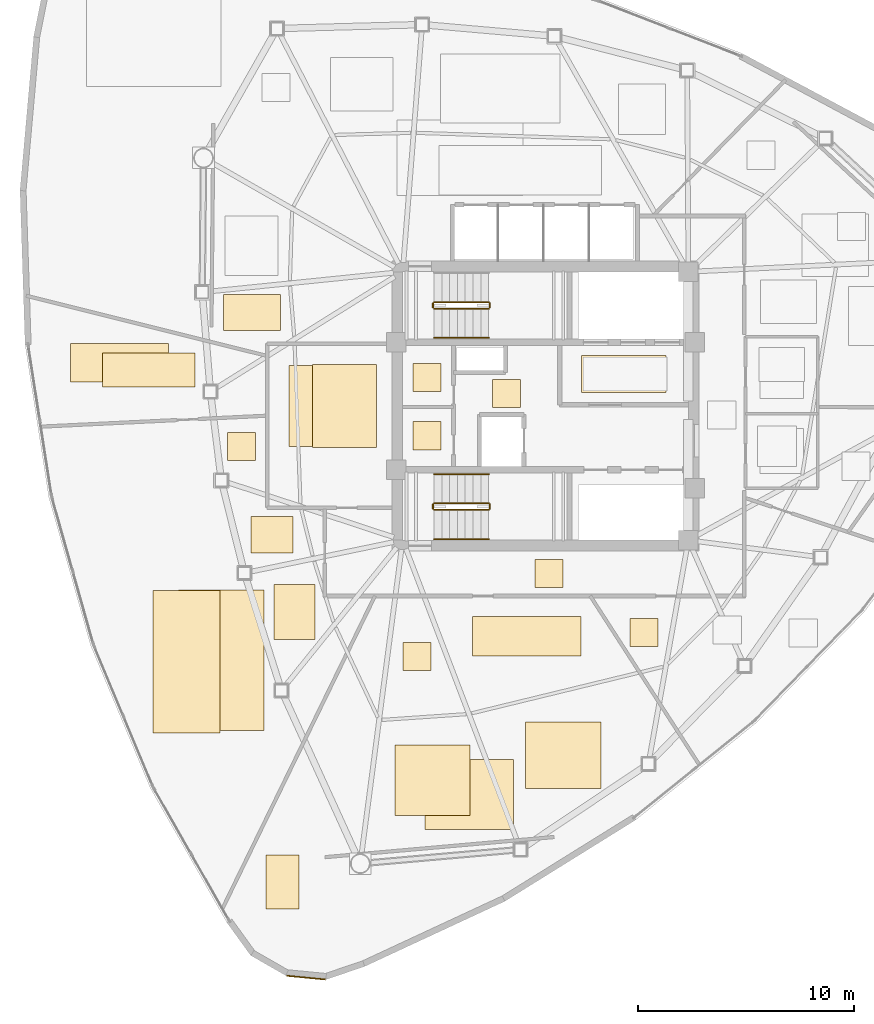
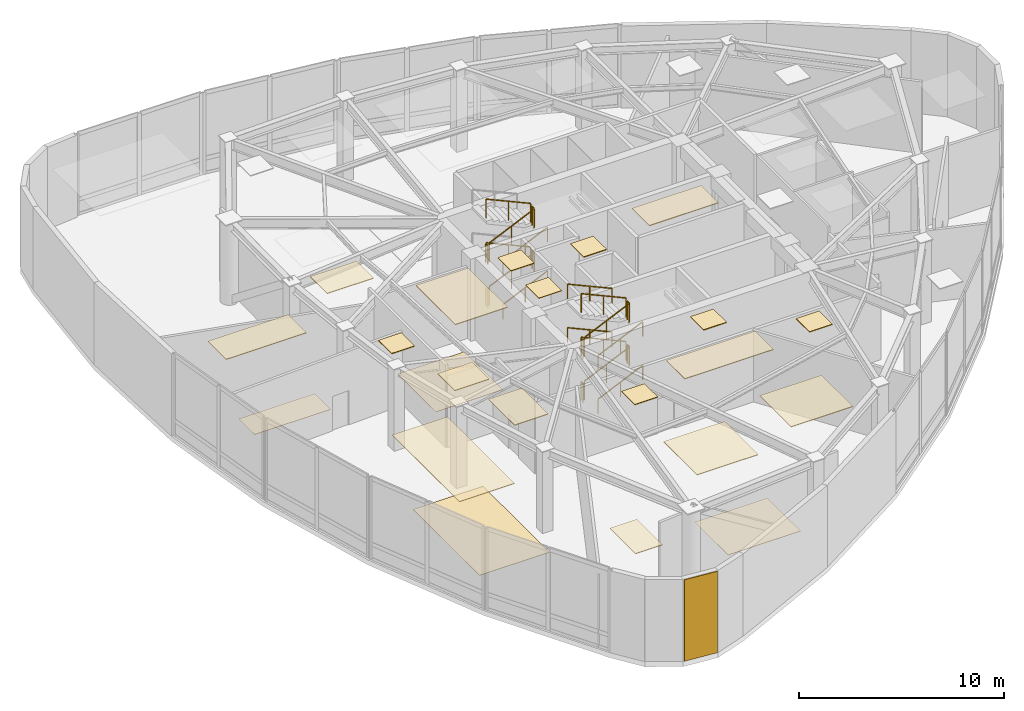
# One storey, part 11 of 12: 23 coverings, 22 railings.
"""IFC4 building model written with IfcOpenShell, lengths in metres."""

from ifc_helpers import new_model, si_unit, direction, frame, origin, origin_2d, place, context, subcontext, project, spatial, polyline, rectangle, outline, extrude, material, layer, layer_set, type_object, element, save


model = new_model("IFC4")

# Units and contexts
model_context = context("Model", 3, precision=1e-05, world=origin(), true_north=direction((0.0, 1.0)))
body_context = subcontext(model_context, "Body", "Model", "MODEL_VIEW")
ifc_project = project(units=[si_unit("LENGTHUNIT", "METRE"), si_unit("AREAUNIT", "SQUARE_METRE"), si_unit("VOLUMEUNIT", "CUBIC_METRE"), si_unit("PLANEANGLEUNIT", "RADIAN"), si_unit("MASSUNIT", "GRAM", prefix="KILO")], contexts=[model_context])

# Site, building, storey
site_placement = place(None, origin())
site = spatial("IfcSite", under=ifc_project, at=site_placement, CompositionType="ELEMENT")
building_placement = place(site_placement, origin())
building = spatial("IfcBuilding", under=site, at=building_placement, Name="Tavelor Broadcast Tower", CompositionType="ELEMENT")
storey_placement = place(building_placement, frame((0.0, 0.0, 216.949951171875)))
storey = spatial("IfcBuildingStorey", under=building, at=storey_placement, Name="L51", CompositionType="ELEMENT", Elevation=216.949951171875)

# Coverings
ifc_material_1 = material(Name="Copper-Bronze Anodized Aluminium", Category="aluminium")
ifc_layer_1 = layer(ifc_material_1, 0.044921875)
ifc_layer_set_1 = layer_set([ifc_layer_1], Name="Copper-Bronze Anodized Aluminium")
covering_type_1 = type_object("IfcCoveringType", Name="Anodised Bronze Linear Slatted Concourse Ceiling 45 mm", PredefinedType="CEILING", material=ifc_layer_set_1)
covering_1_placement = place(storey_placement, frame((0.0, 0.0, 4.85498046875)))
element("IfcCovering", 1, at=covering_1_placement, inside=storey, type_object=covering_type_1, Name="L51 Suspended Acoustic Ceiling 2029", PredefinedType="CEILING", context=body_context, shape_type="SweptSolid", body=[
    extrude(outline(polyline([(51.659912109375, 45.6318359375), (55.55712890625, 45.6318359375), (55.55712890625, 47.328125), (51.659912109375, 47.328125), (51.659912109375, 45.6318359375)])), origin(), (0.0, 0.0, 1.0), 0.045166015625),
])
covering_2_placement = place(storey_placement, frame((0.0, 0.0, 4.85498046875)))
element("IfcCovering", 2, at=covering_2_placement, inside=storey, type_object=covering_type_1, Name="L51 Suspended Acoustic Ceiling 2030", PredefinedType="CEILING", context=body_context, shape_type="SweptSolid", body=[
    extrude(outline(polyline([(47.5400390625, 44.919921875), (48.840087890625, 44.919921875), (48.840087890625, 46.219970703125), (47.5400390625, 46.219970703125), (47.5400390625, 44.919921875)])), origin(), (0.0, 0.0, 1.0), 0.045166015625),
])
covering_3_placement = place(storey_placement, frame((0.0, 0.0, 4.85498046875)))
element("IfcCovering", 3, at=covering_3_placement, inside=storey, type_object=covering_type_1, Name="L51 Suspended Acoustic Ceiling 2034", PredefinedType="CEILING", context=body_context, shape_type="SweptSolid", body=[
    extrude(outline(polyline([(49.510498046875, 36.610107421875), (50.810302734375, 36.610107421875), (50.810302734375, 37.909912109375), (49.510498046875, 37.909912109375), (49.510498046875, 36.610107421875)])), origin(), (0.0, 0.0, 1.0), 0.045166015625),
])
ifc_layer_2 = layer(ifc_material_1, 0.050048828125)
ifc_layer_set_2 = layer_set([ifc_layer_2], Name="Copper-Bronze Anodized Aluminium")
covering_type_2 = type_object("IfcCoveringType", Name="Champagne-Bronze Corner Pier Metal Cladding 50 mm", PredefinedType="CLADDING", material=ifc_layer_set_2)
covering_4_placement = place(storey_placement, frame((38.932861328125, 18.587890625, 0.02001953125), z_axis=(0.0, 0.0, 1.0), x_axis=(0.995312178161, -0.096714362966, 0.0)))
element("IfcCovering", 4, at=covering_4_placement, inside=storey, type_object=covering_type_2, Name="L51 Champagne-Bronze Corner Cladding 13", PredefinedType="CLADDING", context=body_context, shape_type="SweptSolid", body=[
    extrude(rectangle(XDim=1.77490234375, YDim=0.050048828125, at=origin_2d()), origin(), (0.0, 0.0, 1.0), 4.860107421875),
])

# Railings
ifc_material_2 = material(Name="Steel S355", Category="steel")
railing_type_1 = type_object("IfcRailingType", Name="Continuous Brushed Stainless Handrail 900 mm", PredefinedType="HANDRAIL", material=ifc_material_2)
railing_1_placement = place(storey_placement, frame((44.85009765625, 48.14990234375, 0.16259765625)))
element("IfcRailing", 5, at=railing_1_placement, inside=storey, type_object=railing_type_1, Name="L51 ST1 stair handrail 1", PredefinedType="HANDRAIL", context=body_context, shape_type="SweptSolid", body=[
    extrude(rectangle(XDim=0.048095703125, YDim=0.048095703125, at=origin_2d()), frame((0.0, 0.0, 0.8759765625), z_axis=(0.911454990345, 0.0, 0.411399806241), x_axis=(0.0, 1.0, 0.0)), (0.0, 0.0, 1.0), 2.764892578125),
    extrude(rectangle(XDim=0.0419921875, YDim=0.0419921875, at=origin_2d()), origin(), (0.0, 0.0, 1.0), 0.851806640625),
    extrude(rectangle(XDim=0.0419921875, YDim=0.0419921875, at=origin_2d()), frame((1.260009765625, 0.0, 0.56884765625)), (0.0, 0.0, 1.0), 0.851806640625),
    extrude(rectangle(XDim=0.0419921875, YDim=0.0419921875, at=origin_2d()), frame((2.52001953125, 0.0, 1.137451171875)), (0.0, 0.0, 1.0), 0.851806640625),
])
railing_2_placement = place(storey_placement, frame((44.85009765625, 48.14990234375, 2.762451171875)))
element("IfcRailing", 6, at=railing_2_placement, inside=storey, type_object=railing_type_1, Name="L51 ST1 stair handrail 3", PredefinedType="HANDRAIL", context=body_context, shape_type="SweptSolid", body=[
    extrude(rectangle(XDim=0.048095703125, YDim=0.048095703125, at=origin_2d()), frame((0.0, 0.0, 0.8759765625), z_axis=(0.911421877719, 0.0, 0.411473159288), x_axis=(0.0, 1.0, 0.0)), (0.0, 0.0, 1.0), 2.764892578125),
    extrude(rectangle(XDim=0.0419921875, YDim=0.0419921875, at=origin_2d()), origin(), (0.0, 0.0, 1.0), 0.851806640625),
    extrude(rectangle(XDim=0.0419921875, YDim=0.0419921875, at=origin_2d()), frame((1.260009765625, 0.0, 0.56884765625)), (0.0, 0.0, 1.0), 0.851806640625),
    extrude(rectangle(XDim=0.0419921875, YDim=0.0419921875, at=origin_2d()), frame((2.52001953125, 0.0, 1.1376953125)), (0.0, 0.0, 1.0), 0.851806640625),
])
railing_3_placement = place(storey_placement, frame((44.85009765625, 38.85009765625, 0.16259765625)))
element("IfcRailing", 7, at=railing_3_placement, inside=storey, type_object=railing_type_1, Name="L51 ST2 stair handrail 1", PredefinedType="HANDRAIL", context=body_context, shape_type="SweptSolid", body=[
    extrude(rectangle(XDim=0.048095703125, YDim=0.048095703125, at=origin_2d()), frame((0.0, 0.0, 0.8759765625), z_axis=(0.911454990345, 0.0, 0.411399806241), x_axis=(0.0, 1.0, 0.0)), (0.0, 0.0, 1.0), 2.764892578125),
    extrude(rectangle(XDim=0.0419921875, YDim=0.0419921875, at=origin_2d()), origin(), (0.0, 0.0, 1.0), 0.851806640625),
    extrude(rectangle(XDim=0.0419921875, YDim=0.0419921875, at=origin_2d()), frame((1.260009765625, 0.0, 0.56884765625)), (0.0, 0.0, 1.0), 0.851806640625),
    extrude(rectangle(XDim=0.0419921875, YDim=0.0419921875, at=origin_2d()), frame((2.52001953125, 0.0, 1.137451171875)), (0.0, 0.0, 1.0), 0.851806640625),
])
railing_4_placement = place(storey_placement, frame((47.3701171875, 41.85009765625, 1.462646484375)))
element("IfcRailing", 8, at=railing_4_placement, inside=storey, type_object=railing_type_1, Name="L51 ST2 stair handrail 2", PredefinedType="HANDRAIL", context=body_context, shape_type="SweptSolid", body=[
    extrude(rectangle(XDim=0.048095703125, YDim=0.048095703125, at=origin_2d()), frame((0.0, 0.0, 0.8759765625), z_axis=(-0.911454990345, 0.0, 0.411399806241), x_axis=(0.0, -1.0, 0.0)), (0.0, 0.0, 1.0), 2.764892578125),
    extrude(rectangle(XDim=0.0419921875, YDim=0.0419921875, at=origin_2d()), origin(), (0.0, 0.0, 1.0), 0.851806640625),
    extrude(rectangle(XDim=0.0419921875, YDim=0.0419921875, at=origin_2d()), frame((-1.260009765625, 0.0, 0.56884765625)), (0.0, 0.0, 1.0), 0.851806640625),
    extrude(rectangle(XDim=0.0419921875, YDim=0.0419921875, at=origin_2d()), frame((-2.52001953125, 0.0, 1.137451171875)), (0.0, 0.0, 1.0), 0.851806640625),
])
railing_5_placement = place(storey_placement, frame((44.85009765625, 38.85009765625, 2.762451171875)))
element("IfcRailing", 9, at=railing_5_placement, inside=storey, type_object=railing_type_1, Name="L51 ST2 stair handrail 3", PredefinedType="HANDRAIL", context=body_context, shape_type="SweptSolid", body=[
    extrude(rectangle(XDim=0.048095703125, YDim=0.048095703125, at=origin_2d()), frame((0.0, 0.0, 0.8759765625), z_axis=(0.911421877719, 0.0, 0.411473159288), x_axis=(0.0, 1.0, 0.0)), (0.0, 0.0, 1.0), 2.764892578125),
    extrude(rectangle(XDim=0.0419921875, YDim=0.0419921875, at=origin_2d()), origin(), (0.0, 0.0, 1.0), 0.851806640625),
    extrude(rectangle(XDim=0.0419921875, YDim=0.0419921875, at=origin_2d()), frame((1.260009765625, 0.0, 0.56884765625)), (0.0, 0.0, 1.0), 0.851806640625),
    extrude(rectangle(XDim=0.0419921875, YDim=0.0419921875, at=origin_2d()), frame((2.52001953125, 0.0, 1.1376953125)), (0.0, 0.0, 1.0), 0.851806640625),
])
railing_6_placement = place(storey_placement, frame((47.3701171875, 41.85009765625, 4.0625)))
element("IfcRailing", 10, at=railing_6_placement, inside=storey, type_object=railing_type_1, Name="L51 ST2 stair handrail 4", PredefinedType="HANDRAIL", context=body_context, shape_type="SweptSolid", body=[
    extrude(rectangle(XDim=0.048095703125, YDim=0.048095703125, at=origin_2d()), frame((0.0, 0.0, 0.8759765625), z_axis=(-0.911454990345, 0.0, 0.411399806241), x_axis=(0.0, -1.0, 0.0)), (0.0, 0.0, 1.0), 2.764892578125),
    extrude(rectangle(XDim=0.0419921875, YDim=0.0419921875, at=origin_2d()), origin(), (0.0, 0.0, 1.0), 0.851806640625),
    extrude(rectangle(XDim=0.0419921875, YDim=0.0419921875, at=origin_2d()), frame((-1.260009765625, 0.0, 0.56884765625)), (0.0, 0.0, 1.0), 0.851806640625),
    extrude(rectangle(XDim=0.0419921875, YDim=0.0419921875, at=origin_2d()), frame((-2.52001953125, 0.0, 1.137451171875)), (0.0, 0.0, 1.0), 0.851806640625),
])

# Coverings
ifc_material_3 = material(Name="Acoustic Nylon Carpet Tile")
ifc_layer_3 = layer(ifc_material_3, 0.02001953125)
ifc_layer_set_3 = layer_set([ifc_layer_3], Name="Acoustic Nylon Carpet Tile")
covering_type_3 = type_object("IfcCoveringType", Name="Heavy-Duty Acoustic Broadcast Carpet Tile 20 mm", PredefinedType="FLOORING", material=ifc_layer_set_3)
covering_5_placement = place(storey_placement, origin())
element("IfcCovering", 11, at=covering_5_placement, inside=storey, type_object=covering_type_3, Name="L51 Broadcast Floor Finish 0743", PredefinedType="FLOORING", context=body_context, shape_type="SweptSolid", body=[
    extrude(outline(polyline([(38.15771484375, 43.12890625), (41.942138671875, 43.12890625), (41.942138671875, 46.87060546875), (38.15771484375, 46.87060546875), (38.15771484375, 43.12890625)])), origin(), (0.0, 0.0, 1.0), 0.02001953125),
])
covering_6_placement = place(storey_placement, origin())
element("IfcCovering", 12, at=covering_6_placement, inside=storey, type_object=covering_type_3, Name="L51 Broadcast Floor Finish 0748", PredefinedType="FLOORING", context=body_context, shape_type="SweptSolid", body=[
    extrude(outline(polyline([(44.432861328125, 25.425048828125), (48.5234375, 25.425048828125), (48.5234375, 28.674560546875), (44.432861328125, 28.674560546875), (44.432861328125, 25.425048828125)])), origin(), (0.0, 0.0, 1.0), 0.02001953125),
])
covering_7_placement = place(storey_placement, origin())
element("IfcCovering", 13, at=covering_7_placement, inside=storey, type_object=covering_type_3, Name="L51 Broadcast Floor Finish 0749", PredefinedType="FLOORING", context=body_context, shape_type="SweptSolid", body=[
    extrude(outline(polyline([(33.042724609375, 29.99462890625), (36.99462890625, 29.99462890625), (36.99462890625, 36.4931640625), (33.042724609375, 36.4931640625), (33.042724609375, 29.99462890625)])), origin(), (0.0, 0.0, 1.0), 0.02001953125),
])
covering_8_placement = place(storey_placement, origin())
element("IfcCovering", 14, at=covering_8_placement, inside=storey, type_object=covering_type_3, Name="L51 Broadcast Floor Finish 0750", PredefinedType="FLOORING", context=body_context, shape_type="SweptSolid", body=[
    extrude(outline(polyline([(29.523193359375, 45.885498046875), (33.814697265625, 45.885498046875), (33.814697265625, 47.43701171875), (29.523193359375, 47.43701171875), (29.523193359375, 45.885498046875)])), origin(), (0.0, 0.0, 1.0), 0.02001953125),
])
ifc_material_4 = material(Name="Architectural Anodized Aluminium", Category="aluminium")
ifc_layer_4 = layer(ifc_material_4, 0.030029296875)
ifc_layer_set_4 = layer_set([ifc_layer_4], Name="Architectural Anodized Aluminium")
covering_type_4 = type_object("IfcCoveringType", Name="Moisture-Resistant Washroom Ceiling 30 mm", PredefinedType="CEILING", material=ifc_layer_set_4)
covering_9_placement = place(storey_placement, frame((0.0, 0.0, 4.8701171875)))
element("IfcCovering", 15, at=covering_9_placement, inside=storey, type_object=covering_type_4, Name="L51 Suspended Acoustic Ceiling 2031", PredefinedType="CEILING", context=body_context, shape_type="SweptSolid", body=[
    extrude(outline(polyline([(43.8798828125, 42.9765625), (45.179931640625, 42.9765625), (45.179931640625, 44.276611328125), (43.8798828125, 44.276611328125), (43.8798828125, 42.9765625)])), origin(), (0.0, 0.0, 1.0), 0.030029296875),
])

# Railings
railing_type_2 = type_object("IfcRailingType", Name="Stairwell Steel Safety Guardrail 1150 mm", PredefinedType="GUARDRAIL", material=ifc_material_2)
railing_7_placement = place(storey_placement, frame((44.85009765625, 49.5, 0.16259765625)))
element("IfcRailing", 16, at=railing_7_placement, inside=storey, type_object=railing_type_2, Name="L51 ST1 stair guard 1", PredefinedType="GUARDRAIL", context=body_context, shape_type="SweptSolid", body=[
    extrude(rectangle(XDim=0.048095703125, YDim=0.048095703125, at=origin_2d()), frame((0.0, 0.0, 1.1259765625), z_axis=(0.911454990345, 0.0, 0.411399806241), x_axis=(0.0, 1.0, 0.0)), (0.0, 0.0, 1.0), 2.764892578125),
    extrude(rectangle(XDim=0.0419921875, YDim=0.0419921875, at=origin_2d()), origin(), (0.0, 0.0, 1.0), 1.101806640625),
    extrude(rectangle(XDim=0.0419921875, YDim=0.0419921875, at=origin_2d()), frame((1.260009765625, 0.0, 0.56884765625)), (0.0, 0.0, 1.0), 1.101806640625),
    extrude(rectangle(XDim=0.0419921875, YDim=0.0419921875, at=origin_2d()), frame((2.52001953125, 0.0, 1.137451171875)), (0.0, 0.0, 1.0), 1.101806640625),
])
railing_8_placement = place(storey_placement, frame((47.419921875, 49.550048828125, 1.300048828125)))
element("IfcRailing", 17, at=railing_8_placement, inside=storey, type_object=railing_type_2, Name="L51 ST1 stair guard 2", PredefinedType="GUARDRAIL", context=body_context, shape_type="SweptSolid", body=[
    extrude(rectangle(XDim=0.048095703125, YDim=0.048095703125, at=origin_2d()), frame((0.0, 0.0, 1.1259765625), z_axis=(0.0, 1.0, 0.0), x_axis=(-1.0, 0.0, 0.0)), (0.0, 0.0, 1.0), 0.199951171875),
    extrude(rectangle(XDim=0.0419921875, YDim=0.0419921875, at=origin_2d()), origin(), (0.0, 0.0, 1.0), 1.101806640625),
    extrude(rectangle(XDim=0.0419921875, YDim=0.0419921875, at=origin_2d()), frame((0.0, 0.199951171875, 0.0)), (0.0, 0.0, 1.0), 1.101806640625),
])
railing_9_placement = place(storey_placement, frame((47.3701171875, 49.800048828125, 1.462646484375)))
element("IfcRailing", 18, at=railing_9_placement, inside=storey, type_object=railing_type_2, Name="L51 ST1 stair guard 3", PredefinedType="GUARDRAIL", context=body_context, shape_type="SweptSolid", body=[
    extrude(rectangle(XDim=0.048095703125, YDim=0.048095703125, at=origin_2d()), frame((0.0, 0.0, 1.1259765625), z_axis=(-0.911454990345, 0.0, 0.411399806241), x_axis=(0.0, -1.0, 0.0)), (0.0, 0.0, 1.0), 2.764892578125),
    extrude(rectangle(XDim=0.0419921875, YDim=0.0419921875, at=origin_2d()), origin(), (0.0, 0.0, 1.0), 1.101806640625),
    extrude(rectangle(XDim=0.0419921875, YDim=0.0419921875, at=origin_2d()), frame((-1.260009765625, 0.0, 0.56884765625)), (0.0, 0.0, 1.0), 1.101806640625),
    extrude(rectangle(XDim=0.0419921875, YDim=0.0419921875, at=origin_2d()), frame((-2.52001953125, 0.0, 1.137451171875)), (0.0, 0.0, 1.0), 1.101806640625),
])
railing_10_placement = place(storey_placement, frame((44.800048828125, 49.550048828125, 2.60009765625)))
element("IfcRailing", 19, at=railing_10_placement, inside=storey, type_object=railing_type_2, Name="L51 ST1 stair guard 4", PredefinedType="GUARDRAIL", context=body_context, shape_type="SweptSolid", body=[
    extrude(rectangle(XDim=0.048095703125, YDim=0.048095703125, at=origin_2d()), frame((0.0, 0.0, 1.1259765625), z_axis=(0.0, 1.0, 0.0), x_axis=(-1.0, 0.0, 0.0)), (0.0, 0.0, 1.0), 0.199951171875),
    extrude(rectangle(XDim=0.0419921875, YDim=0.0419921875, at=origin_2d()), origin(), (0.0, 0.0, 1.0), 1.101806640625),
    extrude(rectangle(XDim=0.0419921875, YDim=0.0419921875, at=origin_2d()), frame((0.0, 0.199951171875, 0.0)), (0.0, 0.0, 1.0), 1.101806640625),
])
railing_11_placement = place(storey_placement, frame((44.85009765625, 49.5, 2.762451171875)))
element("IfcRailing", 20, at=railing_11_placement, inside=storey, type_object=railing_type_2, Name="L51 ST1 stair guard 5", PredefinedType="GUARDRAIL", context=body_context, shape_type="SweptSolid", body=[
    extrude(rectangle(XDim=0.048095703125, YDim=0.048095703125, at=origin_2d()), frame((0.0, 0.0, 1.1259765625), z_axis=(0.911421877719, 0.0, 0.411473159288), x_axis=(0.0, 1.0, 0.0)), (0.0, 0.0, 1.0), 2.764892578125),
    extrude(rectangle(XDim=0.0419921875, YDim=0.0419921875, at=origin_2d()), origin(), (0.0, 0.0, 1.0), 1.101806640625),
    extrude(rectangle(XDim=0.0419921875, YDim=0.0419921875, at=origin_2d()), frame((1.260009765625, 0.0, 0.56884765625)), (0.0, 0.0, 1.0), 1.101806640625),
    extrude(rectangle(XDim=0.0419921875, YDim=0.0419921875, at=origin_2d()), frame((2.52001953125, 0.0, 1.1376953125)), (0.0, 0.0, 1.0), 1.101806640625),
])
railing_12_placement = place(storey_placement, frame((47.419921875, 49.550048828125, 3.900146484375)))
element("IfcRailing", 21, at=railing_12_placement, inside=storey, type_object=railing_type_2, Name="L51 ST1 stair guard 6", PredefinedType="GUARDRAIL", context=body_context, shape_type="SweptSolid", body=[
    extrude(rectangle(XDim=0.048095703125, YDim=0.048095703125, at=origin_2d()), frame((0.0, 0.0, 1.1259765625), z_axis=(0.0, 1.0, 0.0), x_axis=(-1.0, 0.0, 0.0)), (0.0, 0.0, 1.0), 0.199951171875),
    extrude(rectangle(XDim=0.0419921875, YDim=0.0419921875, at=origin_2d()), origin(), (0.0, 0.0, 1.0), 1.101806640625),
    extrude(rectangle(XDim=0.0419921875, YDim=0.0419921875, at=origin_2d()), frame((0.0, 0.199951171875, 0.0)), (0.0, 0.0, 1.0), 1.101806640625),
])
railing_13_placement = place(storey_placement, frame((47.3701171875, 49.800048828125, 4.0625)))
element("IfcRailing", 22, at=railing_13_placement, inside=storey, type_object=railing_type_2, Name="L51 ST1 stair guard 7", PredefinedType="GUARDRAIL", context=body_context, shape_type="SweptSolid", body=[
    extrude(rectangle(XDim=0.048095703125, YDim=0.048095703125, at=origin_2d()), frame((0.0, 0.0, 1.1259765625), z_axis=(-0.911454990345, 0.0, 0.411399806241), x_axis=(0.0, -1.0, 0.0)), (0.0, 0.0, 1.0), 2.764892578125),
    extrude(rectangle(XDim=0.0419921875, YDim=0.0419921875, at=origin_2d()), origin(), (0.0, 0.0, 1.0), 1.101806640625),
    extrude(rectangle(XDim=0.0419921875, YDim=0.0419921875, at=origin_2d()), frame((-1.260009765625, 0.0, 0.56884765625)), (0.0, 0.0, 1.0), 1.101806640625),
    extrude(rectangle(XDim=0.0419921875, YDim=0.0419921875, at=origin_2d()), frame((-2.52001953125, 0.0, 1.137451171875)), (0.0, 0.0, 1.0), 1.101806640625),
])
railing_14_placement = place(storey_placement, frame((44.800048828125, 49.550048828125, 0.0)))
element("IfcRailing", 23, at=railing_14_placement, inside=storey, type_object=railing_type_2, Name="L51 ST1 stair guard 8", PredefinedType="GUARDRAIL", context=body_context, shape_type="SweptSolid", body=[
    extrude(rectangle(XDim=0.048095703125, YDim=0.048095703125, at=origin_2d()), frame((0.0, 0.0, 1.1259765625), z_axis=(0.0, 1.0, 0.0), x_axis=(-1.0, 0.0, 0.0)), (0.0, 0.0, 1.0), 0.199951171875),
    extrude(rectangle(XDim=0.0419921875, YDim=0.0419921875, at=origin_2d()), origin(), (0.0, 0.0, 1.0), 1.101806640625),
    extrude(rectangle(XDim=0.0419921875, YDim=0.0419921875, at=origin_2d()), frame((0.0, 0.199951171875, 0.0)), (0.0, 0.0, 1.0), 1.101806640625),
])
railing_15_placement = place(storey_placement, frame((44.85009765625, 40.199951171875, 0.16259765625)))
element("IfcRailing", 24, at=railing_15_placement, inside=storey, type_object=railing_type_2, Name="L51 ST2 stair guard 1", PredefinedType="GUARDRAIL", context=body_context, shape_type="SweptSolid", body=[
    extrude(rectangle(XDim=0.048095703125, YDim=0.048095703125, at=origin_2d()), frame((0.0, 0.0, 1.1259765625), z_axis=(0.911454990345, 0.0, 0.411399806241), x_axis=(0.0, 1.0, 0.0)), (0.0, 0.0, 1.0), 2.764892578125),
    extrude(rectangle(XDim=0.0419921875, YDim=0.0419921875, at=origin_2d()), origin(), (0.0, 0.0, 1.0), 1.101806640625),
    extrude(rectangle(XDim=0.0419921875, YDim=0.0419921875, at=origin_2d()), frame((1.260009765625, 0.0, 0.56884765625)), (0.0, 0.0, 1.0), 1.101806640625),
    extrude(rectangle(XDim=0.0419921875, YDim=0.0419921875, at=origin_2d()), frame((2.52001953125, 0.0, 1.137451171875)), (0.0, 0.0, 1.0), 1.101806640625),
])
railing_16_placement = place(storey_placement, frame((47.419921875, 40.25, 1.300048828125)))
element("IfcRailing", 25, at=railing_16_placement, inside=storey, type_object=railing_type_2, Name="L51 ST2 stair guard 2", PredefinedType="GUARDRAIL", context=body_context, shape_type="SweptSolid", body=[
    extrude(rectangle(XDim=0.048095703125, YDim=0.048095703125, at=origin_2d()), frame((0.0, 0.0, 1.1259765625), z_axis=(0.0, 1.0, 0.0), x_axis=(-1.0, 0.0, 0.0)), (0.0, 0.0, 1.0), 0.199951171875),
    extrude(rectangle(XDim=0.0419921875, YDim=0.0419921875, at=origin_2d()), origin(), (0.0, 0.0, 1.0), 1.101806640625),
    extrude(rectangle(XDim=0.0419921875, YDim=0.0419921875, at=origin_2d()), frame((0.0, 0.199951171875, 0.0)), (0.0, 0.0, 1.0), 1.101806640625),
])
railing_17_placement = place(storey_placement, frame((47.3701171875, 40.5, 1.462646484375)))
element("IfcRailing", 26, at=railing_17_placement, inside=storey, type_object=railing_type_2, Name="L51 ST2 stair guard 3", PredefinedType="GUARDRAIL", context=body_context, shape_type="SweptSolid", body=[
    extrude(rectangle(XDim=0.048095703125, YDim=0.048095703125, at=origin_2d()), frame((0.0, 0.0, 1.1259765625), z_axis=(-0.911454990345, 0.0, 0.411399806241), x_axis=(0.0, -1.0, 0.0)), (0.0, 0.0, 1.0), 2.764892578125),
    extrude(rectangle(XDim=0.0419921875, YDim=0.0419921875, at=origin_2d()), origin(), (0.0, 0.0, 1.0), 1.101806640625),
    extrude(rectangle(XDim=0.0419921875, YDim=0.0419921875, at=origin_2d()), frame((-1.260009765625, 0.0, 0.56884765625)), (0.0, 0.0, 1.0), 1.101806640625),
    extrude(rectangle(XDim=0.0419921875, YDim=0.0419921875, at=origin_2d()), frame((-2.52001953125, 0.0, 1.137451171875)), (0.0, 0.0, 1.0), 1.101806640625),
])
railing_18_placement = place(storey_placement, frame((44.800048828125, 40.25, 2.60009765625)))
element("IfcRailing", 27, at=railing_18_placement, inside=storey, type_object=railing_type_2, Name="L51 ST2 stair guard 4", PredefinedType="GUARDRAIL", context=body_context, shape_type="SweptSolid", body=[
    extrude(rectangle(XDim=0.048095703125, YDim=0.048095703125, at=origin_2d()), frame((0.0, 0.0, 1.1259765625), z_axis=(0.0, 1.0, 0.0), x_axis=(-1.0, 0.0, 0.0)), (0.0, 0.0, 1.0), 0.199951171875),
    extrude(rectangle(XDim=0.0419921875, YDim=0.0419921875, at=origin_2d()), origin(), (0.0, 0.0, 1.0), 1.101806640625),
    extrude(rectangle(XDim=0.0419921875, YDim=0.0419921875, at=origin_2d()), frame((0.0, 0.199951171875, 0.0)), (0.0, 0.0, 1.0), 1.101806640625),
])
railing_19_placement = place(storey_placement, frame((44.85009765625, 40.199951171875, 2.762451171875)))
element("IfcRailing", 28, at=railing_19_placement, inside=storey, type_object=railing_type_2, Name="L51 ST2 stair guard 5", PredefinedType="GUARDRAIL", context=body_context, shape_type="SweptSolid", body=[
    extrude(rectangle(XDim=0.048095703125, YDim=0.048095703125, at=origin_2d()), frame((0.0, 0.0, 1.1259765625), z_axis=(0.911421877719, 0.0, 0.411473159288), x_axis=(0.0, 1.0, 0.0)), (0.0, 0.0, 1.0), 2.764892578125),
    extrude(rectangle(XDim=0.0419921875, YDim=0.0419921875, at=origin_2d()), origin(), (0.0, 0.0, 1.0), 1.101806640625),
    extrude(rectangle(XDim=0.0419921875, YDim=0.0419921875, at=origin_2d()), frame((1.260009765625, 0.0, 0.56884765625)), (0.0, 0.0, 1.0), 1.101806640625),
    extrude(rectangle(XDim=0.0419921875, YDim=0.0419921875, at=origin_2d()), frame((2.52001953125, 0.0, 1.1376953125)), (0.0, 0.0, 1.0), 1.101806640625),
])
railing_20_placement = place(storey_placement, frame((47.419921875, 40.25, 3.900146484375)))
element("IfcRailing", 29, at=railing_20_placement, inside=storey, type_object=railing_type_2, Name="L51 ST2 stair guard 6", PredefinedType="GUARDRAIL", context=body_context, shape_type="SweptSolid", body=[
    extrude(rectangle(XDim=0.048095703125, YDim=0.048095703125, at=origin_2d()), frame((0.0, 0.0, 1.1259765625), z_axis=(0.0, 1.0, 0.0), x_axis=(-1.0, 0.0, 0.0)), (0.0, 0.0, 1.0), 0.199951171875),
    extrude(rectangle(XDim=0.0419921875, YDim=0.0419921875, at=origin_2d()), origin(), (0.0, 0.0, 1.0), 1.101806640625),
    extrude(rectangle(XDim=0.0419921875, YDim=0.0419921875, at=origin_2d()), frame((0.0, 0.199951171875, 0.0)), (0.0, 0.0, 1.0), 1.101806640625),
])
railing_21_placement = place(storey_placement, frame((47.3701171875, 40.5, 4.0625)))
element("IfcRailing", 30, at=railing_21_placement, inside=storey, type_object=railing_type_2, Name="L51 ST2 stair guard 7", PredefinedType="GUARDRAIL", context=body_context, shape_type="SweptSolid", body=[
    extrude(rectangle(XDim=0.048095703125, YDim=0.048095703125, at=origin_2d()), frame((0.0, 0.0, 1.1259765625), z_axis=(-0.911454990345, 0.0, 0.411399806241), x_axis=(0.0, -1.0, 0.0)), (0.0, 0.0, 1.0), 2.764892578125),
    extrude(rectangle(XDim=0.0419921875, YDim=0.0419921875, at=origin_2d()), origin(), (0.0, 0.0, 1.0), 1.101806640625),
    extrude(rectangle(XDim=0.0419921875, YDim=0.0419921875, at=origin_2d()), frame((-1.260009765625, 0.0, 0.56884765625)), (0.0, 0.0, 1.0), 1.101806640625),
    extrude(rectangle(XDim=0.0419921875, YDim=0.0419921875, at=origin_2d()), frame((-2.52001953125, 0.0, 1.137451171875)), (0.0, 0.0, 1.0), 1.101806640625),
])
railing_22_placement = place(storey_placement, frame((44.800048828125, 40.25, 0.0)))
element("IfcRailing", 31, at=railing_22_placement, inside=storey, type_object=railing_type_2, Name="L51 ST2 stair guard 8", PredefinedType="GUARDRAIL", context=body_context, shape_type="SweptSolid", body=[
    extrude(rectangle(XDim=0.048095703125, YDim=0.048095703125, at=origin_2d()), frame((0.0, 0.0, 1.1259765625), z_axis=(0.0, 1.0, 0.0), x_axis=(-1.0, 0.0, 0.0)), (0.0, 0.0, 1.0), 0.199951171875),
    extrude(rectangle(XDim=0.0419921875, YDim=0.0419921875, at=origin_2d()), origin(), (0.0, 0.0, 1.0), 1.101806640625),
    extrude(rectangle(XDim=0.0419921875, YDim=0.0419921875, at=origin_2d()), frame((0.0, 0.199951171875, 0.0)), (0.0, 0.0, 1.0), 1.101806640625),
])

# Coverings
ifc_material_5 = material(Name="Acoustic Mineral Fibre Tile")
ifc_layer_5 = layer(ifc_material_5, 0.0400390625)
ifc_layer_set_5 = layer_set([ifc_layer_5], Name="Acoustic Mineral Fibre Tile")
covering_type_5 = type_object("IfcCoveringType", Name="Suspended Acoustic Mineral-Fibre Office Ceiling 40 mm", PredefinedType="CEILING", material=ifc_layer_set_5)
covering_10_placement = place(storey_placement, frame((0.0, 0.0, 4.860107421875)))
element("IfcCovering", 32, at=covering_10_placement, inside=storey, type_object=covering_type_5, Name="L51 Suspended Acoustic Ceiling 2032", PredefinedType="CEILING", context=body_context, shape_type="SweptSolid", body=[
    extrude(outline(polyline([(43.8798828125, 45.673583984375), (45.179931640625, 45.673583984375), (45.179931640625, 46.973388671875), (43.8798828125, 46.973388671875), (43.8798828125, 45.673583984375)])), origin(), (0.0, 0.0, 1.0), 0.0400390625),
])
covering_11_placement = place(storey_placement, frame((0.0, 0.0, 4.860107421875)))
element("IfcCovering", 33, at=covering_11_placement, inside=storey, type_object=covering_type_5, Name="L51 Suspended Acoustic Ceiling 2035", PredefinedType="CEILING", context=body_context, shape_type="SweptSolid", body=[
    extrude(outline(polyline([(39.2216796875, 43.0712890625), (42.182373046875, 43.0712890625), (42.182373046875, 46.927978515625), (39.2216796875, 46.927978515625), (39.2216796875, 43.0712890625)])), origin(), (0.0, 0.0, 1.0), 0.0400390625),
])
covering_12_placement = place(storey_placement, frame((0.0, 0.0, 4.860107421875)))
element("IfcCovering", 34, at=covering_12_placement, inside=storey, type_object=covering_type_5, Name="L51 Suspended Acoustic Ceiling 2044", PredefinedType="CEILING", context=body_context, shape_type="SweptSolid", body=[
    extrude(outline(polyline([(53.904052734375, 33.87744140625), (55.2041015625, 33.87744140625), (55.2041015625, 35.177490234375), (53.904052734375, 35.177490234375), (53.904052734375, 33.87744140625)])), origin(), (0.0, 0.0, 1.0), 0.0400390625),
])
covering_13_placement = place(storey_placement, frame((0.0, 0.0, 4.860107421875)))
element("IfcCovering", 35, at=covering_13_placement, inside=storey, type_object=covering_type_5, Name="L51 Suspended Acoustic Ceiling 2045", PredefinedType="CEILING", context=body_context, shape_type="SweptSolid", body=[
    extrude(outline(polyline([(37.093017578125, 21.761962890625), (38.612060546875, 21.761962890625), (38.612060546875, 24.26220703125), (37.093017578125, 24.26220703125), (37.093017578125, 21.761962890625)])), origin(), (0.0, 0.0, 1.0), 0.0400390625),
])
covering_14_placement = place(storey_placement, frame((0.0, 0.0, 4.860107421875)))
element("IfcCovering", 36, at=covering_14_placement, inside=storey, type_object=covering_type_5, Name="L51 Suspended Acoustic Ceiling 2046", PredefinedType="CEILING", context=body_context, shape_type="SweptSolid", body=[
    extrude(outline(polyline([(43.415283203125, 32.7802734375), (44.715087890625, 32.7802734375), (44.715087890625, 34.080322265625), (43.415283203125, 34.080322265625), (43.415283203125, 32.7802734375)])), origin(), (0.0, 0.0, 1.0), 0.0400390625),
])
covering_15_placement = place(storey_placement, frame((0.0, 0.0, 4.860107421875)))
element("IfcCovering", 37, at=covering_15_placement, inside=storey, type_object=covering_type_5, Name="L51 Suspended Acoustic Ceiling 2047", PredefinedType="CEILING", context=body_context, shape_type="SweptSolid", body=[
    extrude(outline(polyline([(46.6259765625, 33.45751953125), (51.6337890625, 33.45751953125), (51.6337890625, 35.263427734375), (46.6259765625, 35.263427734375), (46.6259765625, 33.45751953125)])), origin(), (0.0, 0.0, 1.0), 0.0400390625),
])
covering_16_placement = place(storey_placement, frame((0.0, 0.0, 4.860107421875)))
element("IfcCovering", 38, at=covering_16_placement, inside=storey, type_object=covering_type_5, Name="L51 Suspended Acoustic Ceiling 2048", PredefinedType="CEILING", context=body_context, shape_type="SweptSolid", body=[
    extrude(outline(polyline([(49.0810546875, 27.31494140625), (52.5673828125, 27.31494140625), (52.5673828125, 30.386962890625), (49.0810546875, 30.386962890625), (49.0810546875, 27.31494140625)])), origin(), (0.0, 0.0, 1.0), 0.0400390625),
])
covering_17_placement = place(storey_placement, frame((0.0, 0.0, 4.860107421875)))
element("IfcCovering", 39, at=covering_17_placement, inside=storey, type_object=covering_type_5, Name="L51 Suspended Acoustic Ceiling 2049", PredefinedType="CEILING", context=body_context, shape_type="SweptSolid", body=[
    extrude(outline(polyline([(43.053955078125, 26.074462890625), (46.50537109375, 26.074462890625), (46.50537109375, 29.3408203125), (43.053955078125, 29.3408203125), (43.053955078125, 26.074462890625)])), origin(), (0.0, 0.0, 1.0), 0.0400390625),
])
covering_18_placement = place(storey_placement, frame((0.0, 0.0, 4.860107421875)))
element("IfcCovering", 40, at=covering_18_placement, inside=storey, type_object=covering_type_5, Name="L51 Suspended Acoustic Ceiling 2050", PredefinedType="CEILING", context=body_context, shape_type="SweptSolid", body=[
    extrude(outline(polyline([(31.851318359375, 29.899658203125), (34.9697265625, 29.899658203125), (34.9697265625, 36.463134765625), (31.851318359375, 36.463134765625), (31.851318359375, 29.899658203125)])), origin(), (0.0, 0.0, 1.0), 0.0400390625),
])
covering_19_placement = place(storey_placement, frame((0.0, 0.0, 4.860107421875)))
element("IfcCovering", 41, at=covering_19_placement, inside=storey, type_object=covering_type_5, Name="L51 Suspended Acoustic Ceiling 2051", PredefinedType="CEILING", context=body_context, shape_type="SweptSolid", body=[
    extrude(outline(polyline([(35.29736328125, 42.48583984375), (36.597412109375, 42.48583984375), (36.597412109375, 43.785888671875), (35.29736328125, 43.785888671875), (35.29736328125, 42.48583984375)])), origin(), (0.0, 0.0, 1.0), 0.0400390625),
])
covering_20_placement = place(storey_placement, frame((0.0, 0.0, 4.860107421875)))
element("IfcCovering", 42, at=covering_20_placement, inside=storey, type_object=covering_type_5, Name="L51 Suspended Acoustic Ceiling 2052", PredefinedType="CEILING", context=body_context, shape_type="SweptSolid", body=[
    extrude(outline(polyline([(36.38720703125, 38.215576171875), (38.3359375, 38.215576171875), (38.3359375, 39.88427734375), (36.38720703125, 39.88427734375), (36.38720703125, 38.215576171875)])), origin(), (0.0, 0.0, 1.0), 0.0400390625),
])
covering_21_placement = place(storey_placement, frame((0.0, 0.0, 4.860107421875)))
element("IfcCovering", 43, at=covering_21_placement, inside=storey, type_object=covering_type_5, Name="L51 Suspended Acoustic Ceiling 2053", PredefinedType="CEILING", context=body_context, shape_type="SweptSolid", body=[
    extrude(outline(polyline([(37.44873046875, 34.20068359375), (39.3408203125, 34.20068359375), (39.3408203125, 36.751708984375), (37.44873046875, 36.751708984375), (37.44873046875, 34.20068359375)])), origin(), (0.0, 0.0, 1.0), 0.0400390625),
])
covering_22_placement = place(storey_placement, frame((0.0, 0.0, 4.860107421875)))
element("IfcCovering", 44, at=covering_22_placement, inside=storey, type_object=covering_type_5, Name="L51 Suspended Acoustic Ceiling 2054", PredefinedType="CEILING", context=body_context, shape_type="SweptSolid", body=[
    extrude(outline(polyline([(28.04736328125, 46.099853515625), (32.57421875, 46.099853515625), (32.57421875, 47.886962890625), (28.04736328125, 47.886962890625), (28.04736328125, 46.099853515625)])), origin(), (0.0, 0.0, 1.0), 0.0400390625),
])
covering_23_placement = place(storey_placement, frame((0.0, 0.0, 4.860107421875)))
element("IfcCovering", 45, at=covering_23_placement, inside=storey, type_object=covering_type_5, Name="L51 Suspended Acoustic Ceiling 2059", PredefinedType="CEILING", context=body_context, shape_type="SweptSolid", body=[
    extrude(outline(polyline([(35.123779296875, 48.49365234375), (37.746826171875, 48.49365234375), (37.746826171875, 50.160888671875), (35.123779296875, 50.160888671875), (35.123779296875, 48.49365234375)])), origin(), (0.0, 0.0, 1.0), 0.0400390625),
])

save(model, "model.ifc")
